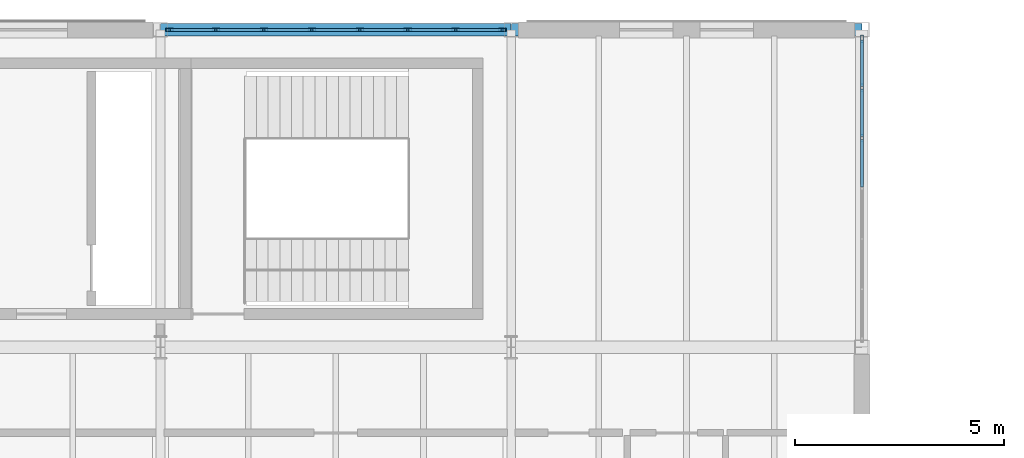
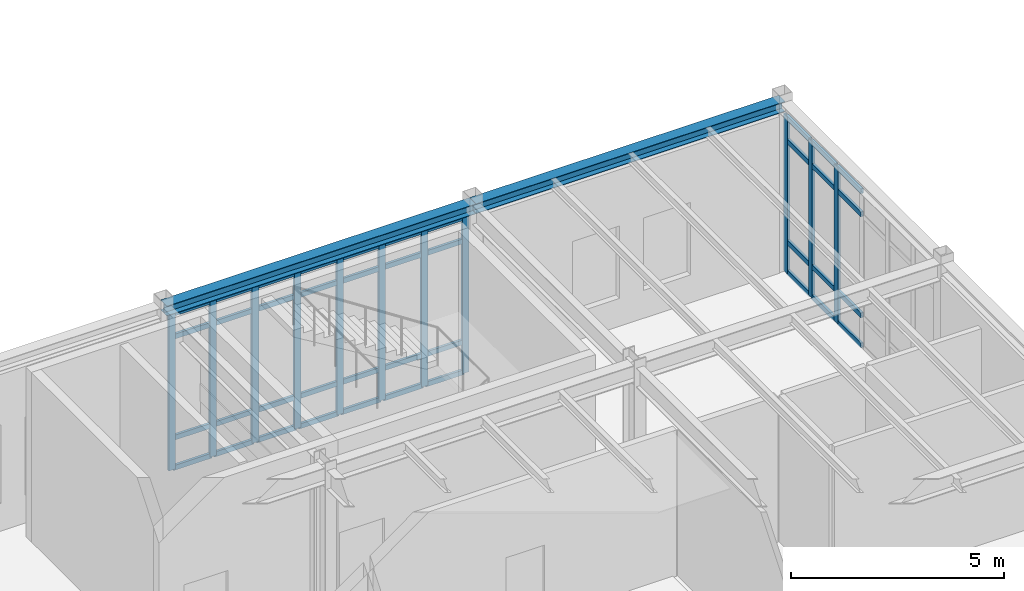
# One storey, part 62 of 109: 51 members, 2 beams, 2 elements without a shape of their own.
"""IFC4 building model written with IfcOpenShell, lengths in metres."""

from ifc_helpers import new_model, si_unit, direction, frame, origin, origin_2d, place, context, subcontext, project, spatial, hollow_rectangle, i_section, extrude, material, layer, layer_set, material_profile, profile_set, type_object, element, aggregate, save


model = new_model("IFC4")

# Units and contexts
model_context = context("Model", 3, precision=1e-05, world=origin(), true_north=direction((0.0, 1.0)))
body_context = subcontext(model_context, "Body", "Model", "MODEL_VIEW")
ifc_project = project(units=[si_unit("LENGTHUNIT", "METRE"), si_unit("AREAUNIT", "SQUARE_METRE"), si_unit("VOLUMEUNIT", "CUBIC_METRE"), si_unit("PLANEANGLEUNIT", "RADIAN"), si_unit("MASSUNIT", "GRAM", prefix="KILO")], contexts=[model_context])

# Site, building, storey
site_placement = place(None, origin())
site = spatial("IfcSite", under=ifc_project, at=site_placement, CompositionType="ELEMENT")
building_placement = place(site_placement, origin())
building = spatial("IfcBuilding", under=site, at=building_placement, Name="Montecoro Central Library", CompositionType="ELEMENT")
storey_placement = place(building_placement, origin())
storey = spatial("IfcBuildingStorey", under=building, at=storey_placement, Name="L00", CompositionType="ELEMENT", Elevation=0.0)

# Beams
ifc_material_1 = material(Name="Steel S355", Category="steel")
ifc_material_profile_1 = material_profile(ifc_material_1, i_section(OverallWidth=0.300048828125, OverallDepth=0.2900390625, WebThickness=0.008544921875, FlangeThickness=0.013916015625, at=origin_2d()), Name="HEA 300")
ifc_profile_set_1 = profile_set([ifc_material_profile_1], Name="Steel S355")
beam_type = type_object("IfcBeamType", Name="BM-SP-HEA300", PredefinedType="SPANDREL", material=ifc_profile_set_1)
beam_1_placement = place(storey_placement, frame((100.0048828125, 119.0, 4.699951171875), z_axis=(1.0, 0.0, 0.0), x_axis=(0.0, 1.0, 0.0)))
element("IfcBeam", 1, at=beam_1_placement, inside=storey, type_object=beam_type, Name="V2-L00-BX-1314-R", PredefinedType="SPANDREL", context=body_context, shape_type="SweptSolid", body=[
    extrude(i_section(OverallWidth=0.300048828125, OverallDepth=0.2900390625, WebThickness=0.008544921875, FlangeThickness=0.013916015625, at=origin_2d()), origin(), (0.0, 0.0, 1.0), 8.39013671875),
])
beam_2_placement = place(storey_placement, frame((108.405029296875, 119.0, 4.699951171875), z_axis=(1.0, 0.0, 0.0), x_axis=(0.0, 1.0, 0.0)))
element("IfcBeam", 2, at=beam_2_placement, inside=storey, type_object=beam_type, Name="V2-L00-BX-1415-R", PredefinedType="SPANDREL", context=body_context, shape_type="SweptSolid", body=[
    extrude(i_section(OverallWidth=0.300048828125, OverallDepth=0.2900390625, WebThickness=0.008544921875, FlangeThickness=0.013916015625, at=origin_2d()), origin(), (0.0, 0.0, 1.0), 8.389892578125),
])

# Curtain wall, members
ifc_material_2 = material(Name="Bronze-anodised aluminium and low-E glazing", Category="aluminium")
ifc_layer_1 = layer(ifc_material_2, 0.159912109375)
ifc_layer_set_1 = layer_set([ifc_layer_1], Name="Bronze-anodised aluminium and low-E glazing")
curtain_wall_type_1 = type_object("IfcCurtainWallType", Name="CWT-007", PredefinedType="NOTDEFINED", material=ifc_layer_set_1)
curtain_wall_1_placement = place(storey_placement, origin())
curtain_wall_1 = element("IfcCurtainWall", 3, at=curtain_wall_1_placement, inside=storey, type_object=curtain_wall_type_1, Name="V2-L00-CW-E4", PredefinedType="NOTDEFINED")
ifc_material_3 = material(Name="Bronze-anodised aluminium", Category="aluminium")
ifc_material_profile_2 = material_profile(ifc_material_3, hollow_rectangle(XDim=0.070068359375, YDim=0.179931640625, WallThickness=0.0048828125, at=origin_2d()), Name="CWM 180x70x5.0")
ifc_profile_set_2 = profile_set([ifc_material_profile_2], Name="Bronze-anodised aluminium")
member_type_1 = type_object("IfcMemberType", Name="CWM-BRZ-70", PredefinedType="MULLION", material=ifc_profile_set_2)
member_1_placement = place(storey_placement, frame((116.800048828125, 116.4072265625, 0.0), z_axis=(0.0, 0.0, 1.0), x_axis=(-1.0, 0.0, 0.0)))
member_1 = element("IfcMember", 4, at=member_1_placement, type_object=member_type_1, Name="CW-007 mullion 5", PredefinedType="MULLION", context=body_context, shape_type="SweptSolid", body=[
    extrude(hollow_rectangle(XDim=0.070068359375, YDim=0.179931640625, WallThickness=0.0048828125, at=origin_2d()), origin(), (0.0, 0.0, 1.0), 4.5),
])
member_2_placement = place(storey_placement, frame((116.800048828125, 117.61474609375, 0.0), z_axis=(0.0, 0.0, 1.0), x_axis=(-1.0, 0.0, 0.0)))
member_2 = element("IfcMember", 5, at=member_2_placement, type_object=member_type_1, Name="CW-007 mullion 6", PredefinedType="MULLION", context=body_context, shape_type="SweptSolid", body=[
    extrude(hollow_rectangle(XDim=0.070068359375, YDim=0.179931640625, WallThickness=0.0048828125, at=origin_2d()), origin(), (0.0, 0.0, 1.0), 4.5),
])
member_3_placement = place(storey_placement, frame((116.800048828125, 118.787109375, 0.0), z_axis=(0.0, 0.0, 1.0), x_axis=(-1.0, 0.0, 0.0)))
member_3 = element("IfcMember", 6, at=member_3_placement, type_object=member_type_1, Name="CW-007 mullion 7", PredefinedType="MULLION", context=body_context, shape_type="SweptSolid", body=[
    extrude(hollow_rectangle(XDim=0.070068359375, YDim=0.179931640625, WallThickness=0.0048828125, at=origin_2d()), origin(), (0.0, 0.0, 1.0), 4.5),
])

ifc_layer_2 = layer(ifc_material_2, 0.159912109375)
ifc_layer_set_2 = layer_set([ifc_layer_2], Name="Bronze-anodised aluminium and low-E glazing")
curtain_wall_type_2 = type_object("IfcCurtainWallType", Name="CWT-008", PredefinedType="NOTDEFINED", material=ifc_layer_set_2)
curtain_wall_2_placement = place(storey_placement, origin())
curtain_wall_2 = element("IfcCurtainWall", 7, at=curtain_wall_2_placement, inside=storey, type_object=curtain_wall_type_2, Name="V2-L00-CW-N4", PredefinedType="NOTDEFINED")
member_4_placement = place(storey_placement, frame((108.18701171875, 119.0, 0.0), z_axis=(0.0, 0.0, 1.0), x_axis=(0.0, -1.0, 0.0)))
member_4 = element("IfcMember", 8, at=member_4_placement, type_object=member_type_1, Name="CW-008 mullion 1", PredefinedType="MULLION", context=body_context, shape_type="SweptSolid", body=[
    extrude(hollow_rectangle(XDim=0.070068359375, YDim=0.179931640625, WallThickness=0.0048828125, at=origin_2d()), origin(), (0.0, 0.0, 1.0), 4.5),
])
member_5_placement = place(storey_placement, frame((107.07275390625, 119.0, 0.0), z_axis=(0.0, 0.0, 1.0), x_axis=(0.0, -1.0, 0.0)))
member_5 = element("IfcMember", 9, at=member_5_placement, type_object=member_type_1, Name="CW-008 mullion 2", PredefinedType="MULLION", context=body_context, shape_type="SweptSolid", body=[
    extrude(hollow_rectangle(XDim=0.070068359375, YDim=0.179931640625, WallThickness=0.0048828125, at=origin_2d()), origin(), (0.0, 0.0, 1.0), 4.5),
])
member_6_placement = place(storey_placement, frame((105.923828125, 119.0, 0.0), z_axis=(0.0, 0.0, 1.0), x_axis=(0.0, -1.0, 0.0)))
member_6 = element("IfcMember", 10, at=member_6_placement, type_object=member_type_1, Name="CW-008 mullion 3", PredefinedType="MULLION", context=body_context, shape_type="SweptSolid", body=[
    extrude(hollow_rectangle(XDim=0.070068359375, YDim=0.179931640625, WallThickness=0.0048828125, at=origin_2d()), origin(), (0.0, 0.0, 1.0), 4.5),
])
member_7_placement = place(storey_placement, frame((104.774658203125, 119.0, 0.0), z_axis=(0.0, 0.0, 1.0), x_axis=(0.0, -1.0, 0.0)))
member_7 = element("IfcMember", 11, at=member_7_placement, type_object=member_type_1, Name="CW-008 mullion 4", PredefinedType="MULLION", context=body_context, shape_type="SweptSolid", body=[
    extrude(hollow_rectangle(XDim=0.070068359375, YDim=0.179931640625, WallThickness=0.0048828125, at=origin_2d()), origin(), (0.0, 0.0, 1.0), 4.5),
])
member_8_placement = place(storey_placement, frame((103.62548828125, 119.0, 0.0), z_axis=(0.0, 0.0, 1.0), x_axis=(0.0, -1.0, 0.0)))
member_8 = element("IfcMember", 12, at=member_8_placement, type_object=member_type_1, Name="CW-008 mullion 5", PredefinedType="MULLION", context=body_context, shape_type="SweptSolid", body=[
    extrude(hollow_rectangle(XDim=0.070068359375, YDim=0.179931640625, WallThickness=0.0048828125, at=origin_2d()), origin(), (0.0, 0.0, 1.0), 4.5),
])
member_9_placement = place(storey_placement, frame((102.476318359375, 119.0, 0.0), z_axis=(0.0, 0.0, 1.0), x_axis=(0.0, -1.0, 0.0)))
member_9 = element("IfcMember", 13, at=member_9_placement, type_object=member_type_1, Name="CW-008 mullion 6", PredefinedType="MULLION", context=body_context, shape_type="SweptSolid", body=[
    extrude(hollow_rectangle(XDim=0.070068359375, YDim=0.179931640625, WallThickness=0.0048828125, at=origin_2d()), origin(), (0.0, 0.0, 1.0), 4.5),
])
member_10_placement = place(storey_placement, frame((101.3271484375, 119.0, 0.0), z_axis=(0.0, 0.0, 1.0), x_axis=(0.0, -1.0, 0.0)))
member_10 = element("IfcMember", 14, at=member_10_placement, type_object=member_type_1, Name="CW-008 mullion 7", PredefinedType="MULLION", context=body_context, shape_type="SweptSolid", body=[
    extrude(hollow_rectangle(XDim=0.070068359375, YDim=0.179931640625, WallThickness=0.0048828125, at=origin_2d()), origin(), (0.0, 0.0, 1.0), 4.5),
])
member_11_placement = place(storey_placement, frame((100.212890625, 119.0, 0.0), z_axis=(0.0, 0.0, 1.0), x_axis=(0.0, -1.0, 0.0)))
member_11 = element("IfcMember", 15, at=member_11_placement, type_object=member_type_1, Name="CW-008 mullion 8", PredefinedType="MULLION", context=body_context, shape_type="SweptSolid", body=[
    extrude(hollow_rectangle(XDim=0.070068359375, YDim=0.179931640625, WallThickness=0.0048828125, at=origin_2d()), origin(), (0.0, 0.0, 1.0), 4.5),
])

# Member
ifc_material_profile_3 = material_profile(ifc_material_3, hollow_rectangle(XDim=0.070068359375, YDim=0.139892578125, WallThickness=0.00390625, at=origin_2d()), Name="CWT 140x70x4.0")
ifc_profile_set_3 = profile_set([ifc_material_profile_3], Name="Bronze-anodised aluminium")
member_type_2 = type_object("IfcMemberType", Name="CWT-BRZ-70", PredefinedType="USERDEFINED", material=ifc_profile_set_3)
member_12_placement = place(storey_placement, frame((116.800048828125, 115.235107421875, 0.034912109375), z_axis=(0.0, 1.0, 0.0), x_axis=(-1.0, 0.0, 0.0)))
member_12 = element("IfcMember", 16, at=member_12_placement, type_object=member_type_2, Name="CW-007 transom 4.1", ObjectType="TRANSOM", PredefinedType="USERDEFINED", context=body_context, shape_type="SweptSolid", body=[
    extrude(hollow_rectangle(XDim=0.070068359375, YDim=0.139892578125, WallThickness=0.00390625, at=origin_2d()), origin(), (0.0, 0.0, 1.0), 1.13720703125),
])

member_13_placement = place(storey_placement, frame((116.800048828125, 115.235107421875, 0.89990234375), z_axis=(0.0, 1.0, 0.0), x_axis=(-1.0, 0.0, 0.0)))
member_13 = element("IfcMember", 17, at=member_13_placement, type_object=member_type_2, Name="CW-007 transom 4.2", ObjectType="TRANSOM", PredefinedType="USERDEFINED", context=body_context, shape_type="SweptSolid", body=[
    extrude(hollow_rectangle(XDim=0.070068359375, YDim=0.139892578125, WallThickness=0.00390625, at=origin_2d()), origin(), (0.0, 0.0, 1.0), 1.13720703125),
])

member_14_placement = place(storey_placement, frame((116.800048828125, 115.235107421875, 3.800048828125), z_axis=(0.0, 1.0, 0.0), x_axis=(-1.0, 0.0, 0.0)))
member_14 = element("IfcMember", 18, at=member_14_placement, type_object=member_type_2, Name="CW-007 transom 4.3", ObjectType="TRANSOM", PredefinedType="USERDEFINED", context=body_context, shape_type="SweptSolid", body=[
    extrude(hollow_rectangle(XDim=0.070068359375, YDim=0.139892578125, WallThickness=0.00390625, at=origin_2d()), origin(), (0.0, 0.0, 1.0), 1.13720703125),
])

member_15_placement = place(storey_placement, frame((116.800048828125, 115.235107421875, 4.465087890625), z_axis=(0.0, 1.0, 0.0), x_axis=(-1.0, 0.0, 0.0)))
member_15 = element("IfcMember", 19, at=member_15_placement, type_object=member_type_2, Name="CW-007 transom 4.4", ObjectType="TRANSOM", PredefinedType="USERDEFINED", context=body_context, shape_type="SweptSolid", body=[
    extrude(hollow_rectangle(XDim=0.070068359375, YDim=0.139892578125, WallThickness=0.00390625, at=origin_2d()), origin(), (0.0, 0.0, 1.0), 1.13720703125),
])

member_16_placement = place(storey_placement, frame((116.800048828125, 116.4423828125, 0.034912109375), z_axis=(0.0, 1.0, 0.0), x_axis=(-1.0, 0.0, 0.0)))
member_16 = element("IfcMember", 20, at=member_16_placement, type_object=member_type_2, Name="CW-007 transom 5.1", ObjectType="TRANSOM", PredefinedType="USERDEFINED", context=body_context, shape_type="SweptSolid", body=[
    extrude(hollow_rectangle(XDim=0.070068359375, YDim=0.139892578125, WallThickness=0.00390625, at=origin_2d()), origin(), (0.0, 0.0, 1.0), 1.13720703125),
])

member_17_placement = place(storey_placement, frame((116.800048828125, 116.4423828125, 0.89990234375), z_axis=(0.0, 1.0, 0.0), x_axis=(-1.0, 0.0, 0.0)))
member_17 = element("IfcMember", 21, at=member_17_placement, type_object=member_type_2, Name="CW-007 transom 5.2", ObjectType="TRANSOM", PredefinedType="USERDEFINED", context=body_context, shape_type="SweptSolid", body=[
    extrude(hollow_rectangle(XDim=0.070068359375, YDim=0.139892578125, WallThickness=0.00390625, at=origin_2d()), origin(), (0.0, 0.0, 1.0), 1.13720703125),
])

member_18_placement = place(storey_placement, frame((116.800048828125, 116.4423828125, 3.800048828125), z_axis=(0.0, 1.0, 0.0), x_axis=(-1.0, 0.0, 0.0)))
member_18 = element("IfcMember", 22, at=member_18_placement, type_object=member_type_2, Name="CW-007 transom 5.3", ObjectType="TRANSOM", PredefinedType="USERDEFINED", context=body_context, shape_type="SweptSolid", body=[
    extrude(hollow_rectangle(XDim=0.070068359375, YDim=0.139892578125, WallThickness=0.00390625, at=origin_2d()), origin(), (0.0, 0.0, 1.0), 1.13720703125),
])

member_19_placement = place(storey_placement, frame((116.800048828125, 116.4423828125, 4.465087890625), z_axis=(0.0, 1.0, 0.0), x_axis=(-1.0, 0.0, 0.0)))
member_19 = element("IfcMember", 23, at=member_19_placement, type_object=member_type_2, Name="CW-007 transom 5.4", ObjectType="TRANSOM", PredefinedType="USERDEFINED", context=body_context, shape_type="SweptSolid", body=[
    extrude(hollow_rectangle(XDim=0.070068359375, YDim=0.139892578125, WallThickness=0.00390625, at=origin_2d()), origin(), (0.0, 0.0, 1.0), 1.13720703125),
])

member_20_placement = place(storey_placement, frame((116.800048828125, 117.649658203125, 0.034912109375), z_axis=(0.0, 1.0, 0.0), x_axis=(-1.0, 0.0, 0.0)))
member_20 = element("IfcMember", 24, at=member_20_placement, type_object=member_type_2, Name="CW-007 transom 6.1", ObjectType="TRANSOM", PredefinedType="USERDEFINED", context=body_context, shape_type="SweptSolid", body=[
    extrude(hollow_rectangle(XDim=0.070068359375, YDim=0.139892578125, WallThickness=0.00390625, at=origin_2d()), origin(), (0.0, 0.0, 1.0), 1.102294921875),
])

member_21_placement = place(storey_placement, frame((116.800048828125, 117.649658203125, 0.89990234375), z_axis=(0.0, 1.0, 0.0), x_axis=(-1.0, 0.0, 0.0)))
member_21 = element("IfcMember", 25, at=member_21_placement, type_object=member_type_2, Name="CW-007 transom 6.2", ObjectType="TRANSOM", PredefinedType="USERDEFINED", context=body_context, shape_type="SweptSolid", body=[
    extrude(hollow_rectangle(XDim=0.070068359375, YDim=0.139892578125, WallThickness=0.00390625, at=origin_2d()), origin(), (0.0, 0.0, 1.0), 1.102294921875),
])

member_22_placement = place(storey_placement, frame((116.800048828125, 117.649658203125, 3.800048828125), z_axis=(0.0, 1.0, 0.0), x_axis=(-1.0, 0.0, 0.0)))
member_22 = element("IfcMember", 26, at=member_22_placement, type_object=member_type_2, Name="CW-007 transom 6.3", ObjectType="TRANSOM", PredefinedType="USERDEFINED", context=body_context, shape_type="SweptSolid", body=[
    extrude(hollow_rectangle(XDim=0.070068359375, YDim=0.139892578125, WallThickness=0.00390625, at=origin_2d()), origin(), (0.0, 0.0, 1.0), 1.102294921875),
])

member_23_placement = place(storey_placement, frame((116.800048828125, 117.649658203125, 4.465087890625), z_axis=(0.0, 1.0, 0.0), x_axis=(-1.0, 0.0, 0.0)))
member_23 = element("IfcMember", 27, at=member_23_placement, type_object=member_type_2, Name="CW-007 transom 6.4", ObjectType="TRANSOM", PredefinedType="USERDEFINED", context=body_context, shape_type="SweptSolid", body=[
    extrude(hollow_rectangle(XDim=0.070068359375, YDim=0.139892578125, WallThickness=0.00390625, at=origin_2d()), origin(), (0.0, 0.0, 1.0), 1.102294921875),
])

aggregate(curtain_wall_1, [member_1, member_2, member_3, member_12, member_13, member_14, member_15, member_16, member_17, member_18, member_19, member_20, member_21, member_22, member_23])

member_24_placement = place(storey_placement, frame((108.152099609375, 119.0, 0.034912109375), z_axis=(-1.0, 0.0, 0.0), x_axis=(0.0, -1.0, 0.0)))
member_24 = element("IfcMember", 28, at=member_24_placement, type_object=member_type_2, Name="CW-008 transom 1.1", ObjectType="TRANSOM", PredefinedType="USERDEFINED", context=body_context, shape_type="SweptSolid", body=[
    extrude(hollow_rectangle(XDim=0.070068359375, YDim=0.139892578125, WallThickness=0.00390625, at=origin_2d()), origin(), (0.0, 0.0, 1.0), 1.044189453125),
])

member_25_placement = place(storey_placement, frame((108.152099609375, 119.0, 0.89990234375), z_axis=(-1.0, 0.0, 0.0), x_axis=(0.0, -1.0, 0.0)))
member_25 = element("IfcMember", 29, at=member_25_placement, type_object=member_type_2, Name="CW-008 transom 1.2", ObjectType="TRANSOM", PredefinedType="USERDEFINED", context=body_context, shape_type="SweptSolid", body=[
    extrude(hollow_rectangle(XDim=0.070068359375, YDim=0.139892578125, WallThickness=0.00390625, at=origin_2d()), origin(), (0.0, 0.0, 1.0), 1.044189453125),
])

member_26_placement = place(storey_placement, frame((108.152099609375, 119.0, 3.800048828125), z_axis=(-1.0, 0.0, 0.0), x_axis=(0.0, -1.0, 0.0)))
member_26 = element("IfcMember", 30, at=member_26_placement, type_object=member_type_2, Name="CW-008 transom 1.3", ObjectType="TRANSOM", PredefinedType="USERDEFINED", context=body_context, shape_type="SweptSolid", body=[
    extrude(hollow_rectangle(XDim=0.070068359375, YDim=0.139892578125, WallThickness=0.00390625, at=origin_2d()), origin(), (0.0, 0.0, 1.0), 1.044189453125),
])

member_27_placement = place(storey_placement, frame((108.152099609375, 119.0, 4.465087890625), z_axis=(-1.0, 0.0, 0.0), x_axis=(0.0, -1.0, 0.0)))
member_27 = element("IfcMember", 31, at=member_27_placement, type_object=member_type_2, Name="CW-008 transom 1.4", ObjectType="TRANSOM", PredefinedType="USERDEFINED", context=body_context, shape_type="SweptSolid", body=[
    extrude(hollow_rectangle(XDim=0.070068359375, YDim=0.139892578125, WallThickness=0.00390625, at=origin_2d()), origin(), (0.0, 0.0, 1.0), 1.044189453125),
])

member_28_placement = place(storey_placement, frame((107.037841796875, 119.0, 0.034912109375), z_axis=(-1.0, 0.0, 0.0), x_axis=(0.0, -1.0, 0.0)))
member_28 = element("IfcMember", 32, at=member_28_placement, type_object=member_type_2, Name="CW-008 transom 2.1", ObjectType="TRANSOM", PredefinedType="USERDEFINED", context=body_context, shape_type="SweptSolid", body=[
    extrude(hollow_rectangle(XDim=0.070068359375, YDim=0.139892578125, WallThickness=0.00390625, at=origin_2d()), origin(), (0.0, 0.0, 1.0), 1.0791015625),
])

member_29_placement = place(storey_placement, frame((107.037841796875, 119.0, 0.89990234375), z_axis=(-1.0, 0.0, 0.0), x_axis=(0.0, -1.0, 0.0)))
member_29 = element("IfcMember", 33, at=member_29_placement, type_object=member_type_2, Name="CW-008 transom 2.2", ObjectType="TRANSOM", PredefinedType="USERDEFINED", context=body_context, shape_type="SweptSolid", body=[
    extrude(hollow_rectangle(XDim=0.070068359375, YDim=0.139892578125, WallThickness=0.00390625, at=origin_2d()), origin(), (0.0, 0.0, 1.0), 1.0791015625),
])

member_30_placement = place(storey_placement, frame((107.037841796875, 119.0, 3.800048828125), z_axis=(-1.0, 0.0, 0.0), x_axis=(0.0, -1.0, 0.0)))
member_30 = element("IfcMember", 34, at=member_30_placement, type_object=member_type_2, Name="CW-008 transom 2.3", ObjectType="TRANSOM", PredefinedType="USERDEFINED", context=body_context, shape_type="SweptSolid", body=[
    extrude(hollow_rectangle(XDim=0.070068359375, YDim=0.139892578125, WallThickness=0.00390625, at=origin_2d()), origin(), (0.0, 0.0, 1.0), 1.0791015625),
])

member_31_placement = place(storey_placement, frame((107.037841796875, 119.0, 4.465087890625), z_axis=(-1.0, 0.0, 0.0), x_axis=(0.0, -1.0, 0.0)))
member_31 = element("IfcMember", 35, at=member_31_placement, type_object=member_type_2, Name="CW-008 transom 2.4", ObjectType="TRANSOM", PredefinedType="USERDEFINED", context=body_context, shape_type="SweptSolid", body=[
    extrude(hollow_rectangle(XDim=0.070068359375, YDim=0.139892578125, WallThickness=0.00390625, at=origin_2d()), origin(), (0.0, 0.0, 1.0), 1.0791015625),
])

member_32_placement = place(storey_placement, frame((105.888671875, 119.0, 0.034912109375), z_axis=(-1.0, 0.0, 0.0), x_axis=(0.0, -1.0, 0.0)))
member_32 = element("IfcMember", 36, at=member_32_placement, type_object=member_type_2, Name="CW-008 transom 3.1", ObjectType="TRANSOM", PredefinedType="USERDEFINED", context=body_context, shape_type="SweptSolid", body=[
    extrude(hollow_rectangle(XDim=0.070068359375, YDim=0.139892578125, WallThickness=0.00390625, at=origin_2d()), origin(), (0.0, 0.0, 1.0), 1.0791015625),
])

member_33_placement = place(storey_placement, frame((105.888671875, 119.0, 0.89990234375), z_axis=(-1.0, 0.0, 0.0), x_axis=(0.0, -1.0, 0.0)))
member_33 = element("IfcMember", 37, at=member_33_placement, type_object=member_type_2, Name="CW-008 transom 3.2", ObjectType="TRANSOM", PredefinedType="USERDEFINED", context=body_context, shape_type="SweptSolid", body=[
    extrude(hollow_rectangle(XDim=0.070068359375, YDim=0.139892578125, WallThickness=0.00390625, at=origin_2d()), origin(), (0.0, 0.0, 1.0), 1.0791015625),
])

member_34_placement = place(storey_placement, frame((105.888671875, 119.0, 3.800048828125), z_axis=(-1.0, 0.0, 0.0), x_axis=(0.0, -1.0, 0.0)))
member_34 = element("IfcMember", 38, at=member_34_placement, type_object=member_type_2, Name="CW-008 transom 3.3", ObjectType="TRANSOM", PredefinedType="USERDEFINED", context=body_context, shape_type="SweptSolid", body=[
    extrude(hollow_rectangle(XDim=0.070068359375, YDim=0.139892578125, WallThickness=0.00390625, at=origin_2d()), origin(), (0.0, 0.0, 1.0), 1.0791015625),
])

member_35_placement = place(storey_placement, frame((105.888671875, 119.0, 4.465087890625), z_axis=(-1.0, 0.0, 0.0), x_axis=(0.0, -1.0, 0.0)))
member_35 = element("IfcMember", 39, at=member_35_placement, type_object=member_type_2, Name="CW-008 transom 3.4", ObjectType="TRANSOM", PredefinedType="USERDEFINED", context=body_context, shape_type="SweptSolid", body=[
    extrude(hollow_rectangle(XDim=0.070068359375, YDim=0.139892578125, WallThickness=0.00390625, at=origin_2d()), origin(), (0.0, 0.0, 1.0), 1.0791015625),
])

member_36_placement = place(storey_placement, frame((104.739501953125, 119.0, 0.034912109375), z_axis=(-1.0, 0.0, 0.0), x_axis=(0.0, -1.0, 0.0)))
member_36 = element("IfcMember", 40, at=member_36_placement, type_object=member_type_2, Name="CW-008 transom 4.1", ObjectType="TRANSOM", PredefinedType="USERDEFINED", context=body_context, shape_type="SweptSolid", body=[
    extrude(hollow_rectangle(XDim=0.070068359375, YDim=0.139892578125, WallThickness=0.00390625, at=origin_2d()), origin(), (0.0, 0.0, 1.0), 1.0791015625),
])

member_37_placement = place(storey_placement, frame((104.739501953125, 119.0, 0.89990234375), z_axis=(-1.0, 0.0, 0.0), x_axis=(0.0, -1.0, 0.0)))
member_37 = element("IfcMember", 41, at=member_37_placement, type_object=member_type_2, Name="CW-008 transom 4.2", ObjectType="TRANSOM", PredefinedType="USERDEFINED", context=body_context, shape_type="SweptSolid", body=[
    extrude(hollow_rectangle(XDim=0.070068359375, YDim=0.139892578125, WallThickness=0.00390625, at=origin_2d()), origin(), (0.0, 0.0, 1.0), 1.0791015625),
])

member_38_placement = place(storey_placement, frame((104.739501953125, 119.0, 3.800048828125), z_axis=(-1.0, 0.0, 0.0), x_axis=(0.0, -1.0, 0.0)))
member_38 = element("IfcMember", 42, at=member_38_placement, type_object=member_type_2, Name="CW-008 transom 4.3", ObjectType="TRANSOM", PredefinedType="USERDEFINED", context=body_context, shape_type="SweptSolid", body=[
    extrude(hollow_rectangle(XDim=0.070068359375, YDim=0.139892578125, WallThickness=0.00390625, at=origin_2d()), origin(), (0.0, 0.0, 1.0), 1.0791015625),
])

member_39_placement = place(storey_placement, frame((104.739501953125, 119.0, 4.465087890625), z_axis=(-1.0, 0.0, 0.0), x_axis=(0.0, -1.0, 0.0)))
member_39 = element("IfcMember", 43, at=member_39_placement, type_object=member_type_2, Name="CW-008 transom 4.4", ObjectType="TRANSOM", PredefinedType="USERDEFINED", context=body_context, shape_type="SweptSolid", body=[
    extrude(hollow_rectangle(XDim=0.070068359375, YDim=0.139892578125, WallThickness=0.00390625, at=origin_2d()), origin(), (0.0, 0.0, 1.0), 1.0791015625),
])

member_40_placement = place(storey_placement, frame((103.59033203125, 119.0, 0.034912109375), z_axis=(-1.0, 0.0, 0.0), x_axis=(0.0, -1.0, 0.0)))
member_40 = element("IfcMember", 44, at=member_40_placement, type_object=member_type_2, Name="CW-008 transom 5.1", ObjectType="TRANSOM", PredefinedType="USERDEFINED", context=body_context, shape_type="SweptSolid", body=[
    extrude(hollow_rectangle(XDim=0.070068359375, YDim=0.139892578125, WallThickness=0.00390625, at=origin_2d()), origin(), (0.0, 0.0, 1.0), 1.0791015625),
])

member_41_placement = place(storey_placement, frame((103.59033203125, 119.0, 0.89990234375), z_axis=(-1.0, 0.0, 0.0), x_axis=(0.0, -1.0, 0.0)))
member_41 = element("IfcMember", 45, at=member_41_placement, type_object=member_type_2, Name="CW-008 transom 5.2", ObjectType="TRANSOM", PredefinedType="USERDEFINED", context=body_context, shape_type="SweptSolid", body=[
    extrude(hollow_rectangle(XDim=0.070068359375, YDim=0.139892578125, WallThickness=0.00390625, at=origin_2d()), origin(), (0.0, 0.0, 1.0), 1.0791015625),
])

member_42_placement = place(storey_placement, frame((103.59033203125, 119.0, 3.800048828125), z_axis=(-1.0, 0.0, 0.0), x_axis=(0.0, -1.0, 0.0)))
member_42 = element("IfcMember", 46, at=member_42_placement, type_object=member_type_2, Name="CW-008 transom 5.3", ObjectType="TRANSOM", PredefinedType="USERDEFINED", context=body_context, shape_type="SweptSolid", body=[
    extrude(hollow_rectangle(XDim=0.070068359375, YDim=0.139892578125, WallThickness=0.00390625, at=origin_2d()), origin(), (0.0, 0.0, 1.0), 1.0791015625),
])

member_43_placement = place(storey_placement, frame((103.59033203125, 119.0, 4.465087890625), z_axis=(-1.0, 0.0, 0.0), x_axis=(0.0, -1.0, 0.0)))
member_43 = element("IfcMember", 47, at=member_43_placement, type_object=member_type_2, Name="CW-008 transom 5.4", ObjectType="TRANSOM", PredefinedType="USERDEFINED", context=body_context, shape_type="SweptSolid", body=[
    extrude(hollow_rectangle(XDim=0.070068359375, YDim=0.139892578125, WallThickness=0.00390625, at=origin_2d()), origin(), (0.0, 0.0, 1.0), 1.0791015625),
])

member_44_placement = place(storey_placement, frame((102.44140625, 119.0, 0.034912109375), z_axis=(-1.0, 0.0, 0.0), x_axis=(0.0, -1.0, 0.0)))
member_44 = element("IfcMember", 48, at=member_44_placement, type_object=member_type_2, Name="CW-008 transom 6.1", ObjectType="TRANSOM", PredefinedType="USERDEFINED", context=body_context, shape_type="SweptSolid", body=[
    extrude(hollow_rectangle(XDim=0.070068359375, YDim=0.139892578125, WallThickness=0.00390625, at=origin_2d()), origin(), (0.0, 0.0, 1.0), 1.079345703125),
])

member_45_placement = place(storey_placement, frame((102.44140625, 119.0, 0.89990234375), z_axis=(-1.0, 0.0, 0.0), x_axis=(0.0, -1.0, 0.0)))
member_45 = element("IfcMember", 49, at=member_45_placement, type_object=member_type_2, Name="CW-008 transom 6.2", ObjectType="TRANSOM", PredefinedType="USERDEFINED", context=body_context, shape_type="SweptSolid", body=[
    extrude(hollow_rectangle(XDim=0.070068359375, YDim=0.139892578125, WallThickness=0.00390625, at=origin_2d()), origin(), (0.0, 0.0, 1.0), 1.079345703125),
])

member_46_placement = place(storey_placement, frame((102.44140625, 119.0, 3.800048828125), z_axis=(-1.0, 0.0, 0.0), x_axis=(0.0, -1.0, 0.0)))
member_46 = element("IfcMember", 50, at=member_46_placement, type_object=member_type_2, Name="CW-008 transom 6.3", ObjectType="TRANSOM", PredefinedType="USERDEFINED", context=body_context, shape_type="SweptSolid", body=[
    extrude(hollow_rectangle(XDim=0.070068359375, YDim=0.139892578125, WallThickness=0.00390625, at=origin_2d()), origin(), (0.0, 0.0, 1.0), 1.079345703125),
])

member_47_placement = place(storey_placement, frame((102.44140625, 119.0, 4.465087890625), z_axis=(-1.0, 0.0, 0.0), x_axis=(0.0, -1.0, 0.0)))
member_47 = element("IfcMember", 51, at=member_47_placement, type_object=member_type_2, Name="CW-008 transom 6.4", ObjectType="TRANSOM", PredefinedType="USERDEFINED", context=body_context, shape_type="SweptSolid", body=[
    extrude(hollow_rectangle(XDim=0.070068359375, YDim=0.139892578125, WallThickness=0.00390625, at=origin_2d()), origin(), (0.0, 0.0, 1.0), 1.079345703125),
])

member_48_placement = place(storey_placement, frame((101.292236328125, 119.0, 0.034912109375), z_axis=(-1.0, 0.0, 0.0), x_axis=(0.0, -1.0, 0.0)))
member_48 = element("IfcMember", 52, at=member_48_placement, type_object=member_type_2, Name="CW-008 transom 7.1", ObjectType="TRANSOM", PredefinedType="USERDEFINED", context=body_context, shape_type="SweptSolid", body=[
    extrude(hollow_rectangle(XDim=0.070068359375, YDim=0.139892578125, WallThickness=0.00390625, at=origin_2d()), origin(), (0.0, 0.0, 1.0), 1.044189453125),
])

member_49_placement = place(storey_placement, frame((101.292236328125, 119.0, 0.89990234375), z_axis=(-1.0, 0.0, 0.0), x_axis=(0.0, -1.0, 0.0)))
member_49 = element("IfcMember", 53, at=member_49_placement, type_object=member_type_2, Name="CW-008 transom 7.2", ObjectType="TRANSOM", PredefinedType="USERDEFINED", context=body_context, shape_type="SweptSolid", body=[
    extrude(hollow_rectangle(XDim=0.070068359375, YDim=0.139892578125, WallThickness=0.00390625, at=origin_2d()), origin(), (0.0, 0.0, 1.0), 1.044189453125),
])

member_50_placement = place(storey_placement, frame((101.292236328125, 119.0, 3.800048828125), z_axis=(-1.0, 0.0, 0.0), x_axis=(0.0, -1.0, 0.0)))
member_50 = element("IfcMember", 54, at=member_50_placement, type_object=member_type_2, Name="CW-008 transom 7.3", ObjectType="TRANSOM", PredefinedType="USERDEFINED", context=body_context, shape_type="SweptSolid", body=[
    extrude(hollow_rectangle(XDim=0.070068359375, YDim=0.139892578125, WallThickness=0.00390625, at=origin_2d()), origin(), (0.0, 0.0, 1.0), 1.044189453125),
])

member_51_placement = place(storey_placement, frame((101.292236328125, 119.0, 4.465087890625), z_axis=(-1.0, 0.0, 0.0), x_axis=(0.0, -1.0, 0.0)))
member_51 = element("IfcMember", 55, at=member_51_placement, type_object=member_type_2, Name="CW-008 transom 7.4", ObjectType="TRANSOM", PredefinedType="USERDEFINED", context=body_context, shape_type="SweptSolid", body=[
    extrude(hollow_rectangle(XDim=0.070068359375, YDim=0.139892578125, WallThickness=0.00390625, at=origin_2d()), origin(), (0.0, 0.0, 1.0), 1.044189453125),
])

aggregate(curtain_wall_2, [member_4, member_5, member_6, member_7, member_8, member_9, member_10, member_11, member_24, member_25, member_26, member_27, member_28, member_29, member_30, member_31, member_32, member_33, member_34, member_35, member_36, member_37, member_38, member_39, member_40, member_41, member_42, member_43, member_44, member_45, member_46, member_47, member_48, member_49, member_50, member_51])

save(model, "model.ifc")
